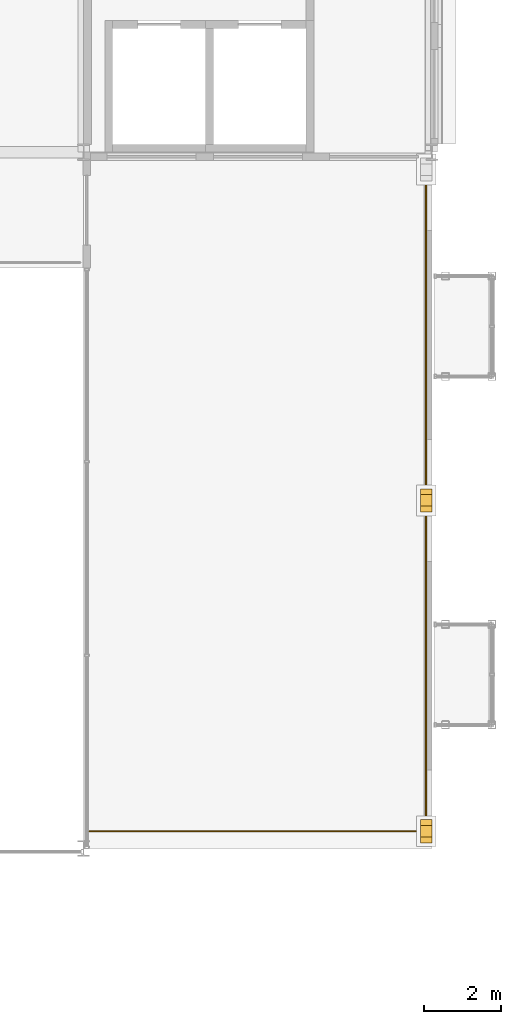
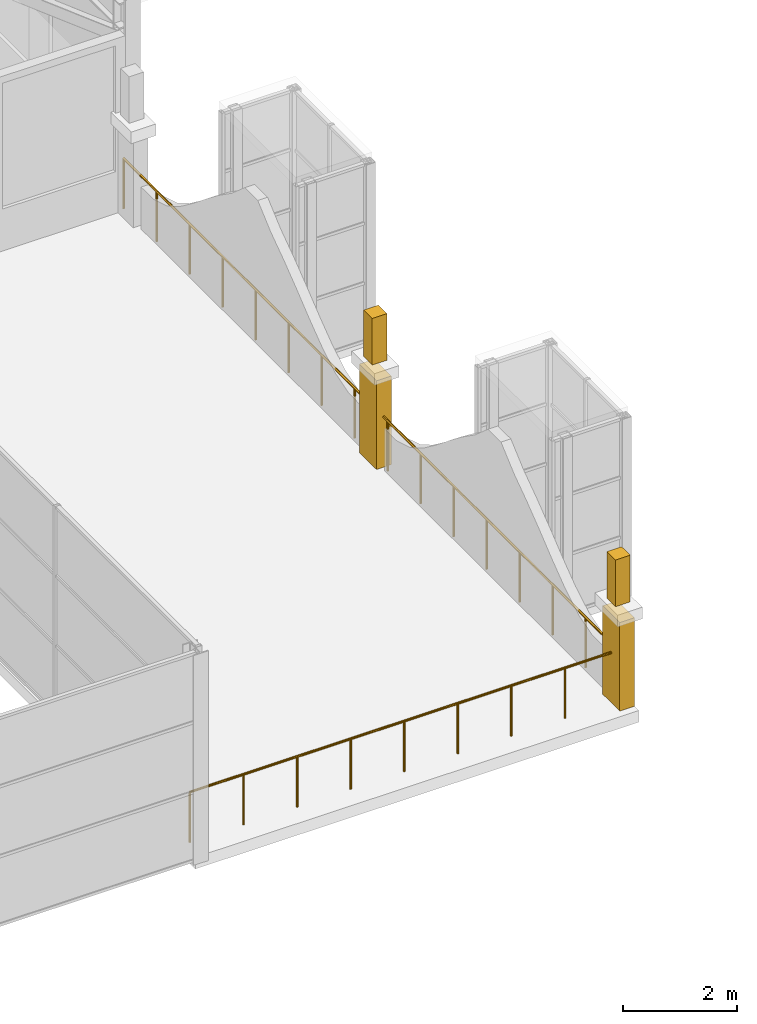
# One storey, part 93 of 111: 4 coverings, 1 railing.
"""IFC4 building model written with IfcOpenShell, lengths in metres."""

from ifc_helpers import new_model, si_unit, direction, frame, origin, origin_2d, place, context, subcontext, project, spatial, rectangle, circle, extrude, material, layer, layer_set, type_object, element, save


model = new_model("IFC4")

# Units and contexts
model_context = context("Model", 3, precision=1e-05, world=origin(), true_north=direction((0.0, 1.0)))
body_context = subcontext(model_context, "Body", "Model", "MODEL_VIEW")
ifc_project = project(units=[si_unit("LENGTHUNIT", "METRE"), si_unit("AREAUNIT", "SQUARE_METRE"), si_unit("VOLUMEUNIT", "CUBIC_METRE"), si_unit("PLANEANGLEUNIT", "RADIAN"), si_unit("MASSUNIT", "GRAM", prefix="KILO")], contexts=[model_context])

# Site, building, storey
site_placement = place(None, origin())
site = spatial("IfcSite", under=ifc_project, at=site_placement, CompositionType="ELEMENT")
building_placement = place(site_placement, origin())
building = spatial("IfcBuilding", under=site, at=building_placement, Name="Kallimachos Central Library", CompositionType="ELEMENT")
storey_placement = place(building_placement, frame((0.0, 0.0, 14.39990234375)))
storey = spatial("IfcBuildingStorey", under=building, at=storey_placement, Name="L03", CompositionType="ELEMENT", Elevation=14.39990234375)

# Railing
ifc_material_1 = material(Name="Wrought iron")
railing_type = type_object("IfcRailingType", Name="Roof garden guard", PredefinedType="GUARDRAIL", material=ifc_material_1)
railing_placement = place(storey_placement, frame((101.64990234375, 57.449951171875, 0.0)))
element("IfcRailing", 1, at=railing_placement, inside=storey, type_object=railing_type, Name="East roof garden guard", PredefinedType="GUARDRAIL", context=body_context, shape_type="SweptSolid", body=[
    extrude(circle(Radius=0.02392578125, at=origin_2d()), frame((0.0, 0.0, 1.076171875), z_axis=(1.0, 0.0, 0.0), x_axis=(0.0, 1.0, 0.0)), (0.0, 0.0, 1.0), 8.7001953125),
    extrude(circle(Radius=0.02392578125, at=origin_2d()), frame((8.7001953125, 0.0, 1.076171875), z_axis=(0.0, 1.0, 0.0), x_axis=(-1.0, 0.0, 0.0)), (0.0, 0.0, 1.0), 17.400146484375),
    extrude(circle(Radius=0.02099609375, at=origin_2d()), origin(), (0.0, 0.0, 1.0), 1.052001953125),
    extrude(circle(Radius=0.02099609375, at=origin_2d()), frame((1.08740234375, 0.0, 0.0)), (0.0, 0.0, 1.0), 1.052001953125),
    extrude(circle(Radius=0.02099609375, at=origin_2d()), frame((2.175048828125, 0.0, 0.0)), (0.0, 0.0, 1.0), 1.052001953125),
    extrude(circle(Radius=0.02099609375, at=origin_2d()), frame((3.2626953125, 0.0, 0.0)), (0.0, 0.0, 1.0), 1.052001953125),
    extrude(circle(Radius=0.02099609375, at=origin_2d()), frame((4.35009765625, 0.0, 0.0)), (0.0, 0.0, 1.0), 1.052001953125),
    extrude(circle(Radius=0.02099609375, at=origin_2d()), frame((5.4375, 0.0, 0.0)), (0.0, 0.0, 1.0), 1.052001953125),
    extrude(circle(Radius=0.02099609375, at=origin_2d()), frame((6.525146484375, 0.0, 0.0)), (0.0, 0.0, 1.0), 1.052001953125),
    extrude(circle(Radius=0.02099609375, at=origin_2d()), frame((7.61279296875, 0.0, 0.0)), (0.0, 0.0, 1.0), 1.052001953125),
    extrude(circle(Radius=0.02099609375, at=origin_2d()), frame((8.7001953125, 0.0, 0.0)), (0.0, 0.0, 1.0), 1.052001953125),
    extrude(circle(Radius=0.02099609375, at=origin_2d()), frame((8.7001953125, 1.159912109375, 0.0)), (0.0, 0.0, 1.0), 1.052001953125),
    extrude(circle(Radius=0.02099609375, at=origin_2d()), frame((8.7001953125, 2.320068359375, 0.0)), (0.0, 0.0, 1.0), 1.052001953125),
    extrude(circle(Radius=0.02099609375, at=origin_2d()), frame((8.7001953125, 3.47998046875, 0.0)), (0.0, 0.0, 1.0), 1.052001953125),
    extrude(circle(Radius=0.02099609375, at=origin_2d()), frame((8.7001953125, 4.64013671875, 0.0)), (0.0, 0.0, 1.0), 1.052001953125),
    extrude(circle(Radius=0.02099609375, at=origin_2d()), frame((8.7001953125, 5.800048828125, 0.0)), (0.0, 0.0, 1.0), 1.052001953125),
    extrude(circle(Radius=0.02099609375, at=origin_2d()), frame((8.7001953125, 6.9599609375, 0.0)), (0.0, 0.0, 1.0), 1.052001953125),
    extrude(circle(Radius=0.02099609375, at=origin_2d()), frame((8.7001953125, 8.1201171875, 0.0)), (0.0, 0.0, 1.0), 1.052001953125),
    extrude(circle(Radius=0.02099609375, at=origin_2d()), frame((8.7001953125, 9.280029296875, 0.0)), (0.0, 0.0, 1.0), 1.052001953125),
    extrude(circle(Radius=0.02099609375, at=origin_2d()), frame((8.7001953125, 10.440185546875, 0.0)), (0.0, 0.0, 1.0), 1.052001953125),
    extrude(circle(Radius=0.02099609375, at=origin_2d()), frame((8.7001953125, 11.60009765625, 0.0)), (0.0, 0.0, 1.0), 1.052001953125),
    extrude(circle(Radius=0.02099609375, at=origin_2d()), frame((8.7001953125, 12.760009765625, 0.0)), (0.0, 0.0, 1.0), 1.052001953125),
    extrude(circle(Radius=0.02099609375, at=origin_2d()), frame((8.7001953125, 13.920166015625, 0.0)), (0.0, 0.0, 1.0), 1.052001953125),
    extrude(circle(Radius=0.02099609375, at=origin_2d()), frame((8.7001953125, 15.080078125, 0.0)), (0.0, 0.0, 1.0), 1.052001953125),
    extrude(circle(Radius=0.02099609375, at=origin_2d()), frame((8.7001953125, 16.240234375, 0.0)), (0.0, 0.0, 1.0), 1.052001953125),
    extrude(circle(Radius=0.02099609375, at=origin_2d()), frame((8.7001953125, 17.400146484375, 0.0)), (0.0, 0.0, 1.0), 1.052001953125),
])

# Coverings
ifc_material_2 = material(Name="Pentelic marble finial", Category="masonry")
ifc_layer_1 = layer(ifc_material_2, 0.300048828125)
ifc_layer_set_1 = layer_set([ifc_layer_1], Name="Stone pinnacle finial 300")
covering_type_1 = type_object("IfcCoveringType", Name="Stone pinnacle finial 300", PredefinedType="MOLDING", material=ifc_layer_set_1)
for number, where, z_axis, x_axis, name in (
    (2, (110.35009765625, 57.449951171875, 2.150146484375), (0.0, 0.0, 1.0), (1.0, 0.0, 0.0), "East wing roof edge pinnacle 1 finial"),
    (3, (110.35009765625, 66.0, 2.150146484375), (0.0, 0.0, 1.0), (1.0, 0.0, 0.0), "East wing roof edge pinnacle 2 finial"),
):
    element("IfcCovering", number, at=place(storey_placement, frame(where, z_axis=z_axis, x_axis=x_axis)), inside=storey, type_object=covering_type_1, Name=name, PredefinedType="MOLDING", context=body_context, shape_type="SweptSolid", body=[
        extrude(rectangle(XDim=0.300048828125, YDim=0.300048828125, at=origin_2d()), origin(), (0.0, 0.0, 1.0), 1.0),
    ])
ifc_material_3 = material(Name="Pentelic marble pinnacle", Category="masonry")
ifc_layer_2 = layer(ifc_material_3, 0.60009765625)
ifc_layer_set_2 = layer_set([ifc_layer_2], Name="Stone pinnacle shaft 600")
covering_type_2 = type_object("IfcCoveringType", Name="Stone pinnacle shaft 600", PredefinedType="MOLDING", material=ifc_layer_set_2)
for number, where, z_axis, x_axis, name in (
    (4, (110.35009765625, 57.449951171875, 0.000244140625), (0.0, 0.0, 1.0), (1.0, 0.0, 0.0), "East wing roof edge pinnacle 1 shaft"),
    (5, (110.35009765625, 66.0, 0.000244140625), (0.0, 0.0, 1.0), (1.0, 0.0, 0.0), "East wing roof edge pinnacle 2 shaft"),
):
    element("IfcCovering", number, at=place(storey_placement, frame(where, z_axis=z_axis, x_axis=x_axis)), inside=storey, type_object=covering_type_2, Name=name, PredefinedType="MOLDING", context=body_context, shape_type="SweptSolid", body=[
        extrude(rectangle(XDim=0.300048828125, YDim=0.60009765625, at=origin_2d()), origin(), (0.0, 0.0, 1.0), 1.89990234375),
    ])

save(model, "model.ifc")
